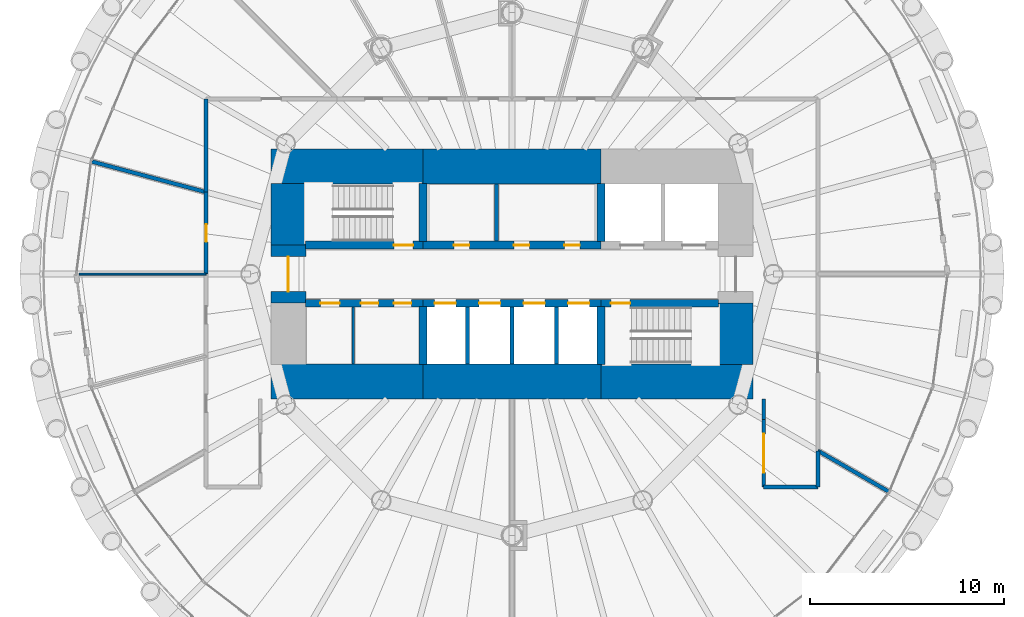
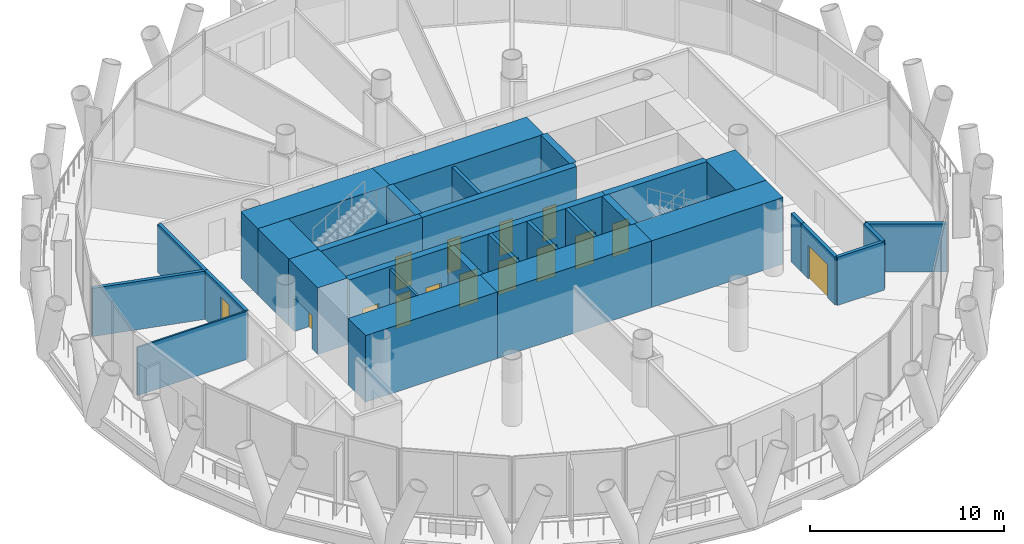
# One storey, part 9 of 15: 31 walls, 15 doors, 15 openings.
"""IFC4 building model written with IfcOpenShell, lengths in metres."""

import ifcopenshell
import ifcopenshell.guid

model = None  # the IFC model being written
_history = None  # IfcOwnerHistory: only IFC2X3 demands one
_inside = {}  # id of a spatial element -> (the spatial element, [elements in it])
_under = {}  # id of a project, library or spatial element -> (it, [spatial elements below it])
_declared = {}  # id of a project -> (the project, [libraries it declares])
_typed = {}  # id of a type object -> (the type object, [elements of that type])
_made_of = {}  # id of a material, layer set ... -> (it, [elements and type objects made of it])


def new_model(schema):
    """Start an empty IFC model of exactly this schema.

    Asked for "IFC4X3", IfcOpenShell would pick the latest addendum, in which some entities
    have other attributes; the version numbers below select the first issue.
    IFC2X3 requires an IfcOwnerHistory on every rooted entity: one is made here for all.
    """
    global model, _history
    if schema == "IFC4X3":
        model = ifcopenshell.file(schema_version=(4, 3, 0, 0))
    else:
        model = ifcopenshell.file(schema=schema)
    _inside.clear()
    _under.clear()
    _declared.clear()
    _typed.clear()
    _made_of.clear()
    _history = None
    if model.schema == "IFC2X3":
        org = make("IfcOrganization", Name="unknown")
        user = make(
            "IfcPersonAndOrganization",
            ThePerson=make("IfcPerson", FamilyName="unknown"),
            TheOrganization=org,
        )
        app = make(
            "IfcApplication",
            ApplicationDeveloper=org,
            Version="unknown",
            ApplicationFullName="unknown",
            ApplicationIdentifier="unknown",
        )
        _history = make(
            "IfcOwnerHistory",
            OwningUser=user,
            OwningApplication=app,
            ChangeAction="ADDED",
            CreationDate=0,
        )
    return model


def make(cls, **values):
    """One entity of the class cls with the attributes given. An attribute that is None is left unset."""
    return model.create_entity(
        cls, **{name: value for name, value in values.items() if value is not None}
    )


def rooted(cls, **values):
    """An entity with a GlobalId (a new one), such as an element, a storey or a relation."""
    return make(cls, GlobalId=ifcopenshell.guid.new(), OwnerHistory=_history, **values)


def si_unit(unit_type, name, prefix=None):
    """IfcSIUnit, for example si_unit("LENGTHUNIT", "METRE", prefix="MILLI")."""
    return make("IfcSIUnit", UnitType=unit_type, Prefix=prefix, Name=name)


def assignment(units):
    """IfcUnitAssignment: the units of a project."""
    return None if units is None else make("IfcUnitAssignment", Units=units)


def point(xyz):
    """IfcCartesianPoint."""
    return None if xyz is None else make("IfcCartesianPoint", Coordinates=xyz)


def direction(xyz):
    """IfcDirection."""
    return None if xyz is None else make("IfcDirection", DirectionRatios=xyz)


def frame(location, z_axis=None, x_axis=None):
    """IfcAxis2Placement3D, a coordinate frame: its origin and axes. An axis left out is left unset."""
    return make(
        "IfcAxis2Placement3D",
        Location=point(location),
        Axis=direction(z_axis),
        RefDirection=direction(x_axis),
    )


def frame_2d(location, x_axis=None):
    """IfcAxis2Placement2D, a coordinate frame in the plane: its origin and x axis."""
    return make(
        "IfcAxis2Placement2D", Location=point(location), RefDirection=direction(x_axis)
    )


def origin():
    """The frame at (0, 0, 0) with its axes left unset."""
    return frame((0.0, 0.0, 0.0))


def place(relative_to, where):
    """IfcLocalPlacement: puts the frame where relative to a parent placement (None: the world)."""
    return make(
        "IfcLocalPlacement", PlacementRelTo=relative_to, RelativePlacement=where
    )


def context(
    kind, dimensions, precision=None, world=None, true_north=None, identifier=None
):
    """IfcGeometricRepresentationContext, for example the 3D "Model" context."""
    return make(
        "IfcGeometricRepresentationContext",
        ContextIdentifier=identifier,
        ContextType=kind,
        CoordinateSpaceDimension=dimensions,
        Precision=precision,
        WorldCoordinateSystem=world,
        TrueNorth=true_north,
    )


def subcontext(parent, identifier, kind, view, scale=None):
    """IfcGeometricRepresentationSubContext, for example "Body" below "Model"."""
    return make(
        "IfcGeometricRepresentationSubContext",
        ContextIdentifier=identifier,
        ContextType=kind,
        ParentContext=parent,
        TargetScale=scale,
        TargetView=view,
    )


def project(units=None, contexts=None):
    """IfcProject with its units and contexts."""
    return rooted(
        "IfcProject",
        Name="project",
        RepresentationContexts=contexts,
        UnitsInContext=assignment(units),
    )


def spatial(cls, under=None, at=None, **own):
    """A site, building, storey or space (cls), placed at a placement, below another one or the project."""
    s = rooted(cls, ObjectPlacement=at, **own)
    if under is not None:
        _under.setdefault(under.id(), (under, []))[1].append(s)
    return s


def profile(cls, at=None, kind="AREA", **sizes):
    """A parametric profile (cls). Its sizes go by their IFC names, for example OverallWidth=200.0."""
    return make(cls, ProfileType=kind, Position=at, **sizes)


def rectangle(**sizes):
    """IfcRectangleProfileDef."""
    return profile("IfcRectangleProfileDef", **sizes)


def extrude(swept, where, along, depth):
    """IfcExtrudedAreaSolid: the profile swept, set in the frame where, extruded along a direction by depth."""
    return make(
        "IfcExtrudedAreaSolid",
        SweptArea=swept,
        Position=where,
        ExtrudedDirection=direction(along),
        Depth=depth,
    )


def shape(context_of_items, identifier, shape_type, items):
    """IfcShapeRepresentation: the items that make up one representation, for example the "Body"."""
    return make(
        "IfcShapeRepresentation",
        ContextOfItems=context_of_items,
        RepresentationIdentifier=identifier,
        RepresentationType=shape_type,
        Items=items,
    )


def material(Name=None, Category=None):
    """IfcMaterial."""
    return make("IfcMaterial", Name=Name, Category=Category)


def layer(
    of_material, thickness, ventilated=None, Name=None, Category=None, Priority=None
):
    """IfcMaterialLayer: one layer of a wall or slab, of a material (None: an air gap)."""
    return make(
        "IfcMaterialLayer",
        Material=of_material,
        LayerThickness=thickness,
        IsVentilated=ventilated,
        Name=Name,
        Category=Category,
        Priority=Priority,
    )


def layer_set(layers, Name=None):
    """IfcMaterialLayerSet."""
    return make("IfcMaterialLayerSet", MaterialLayers=layers, LayerSetName=Name)


def made_of(thing, what):
    """Note that an element or type object is made of a material, layer set ...; save() writes the relation."""
    if what is not None:
        _made_of.setdefault(what.id(), (what, []))[1].append(thing)
    return thing


def type_object(cls, material=None, **own):
    """A type object (cls), such as IfcWallType, which elements share."""
    return made_of(rooted(cls, **own), material)


def element(
    cls,
    number,
    at=None,
    inside=None,
    cuts=None,
    type_object=None,
    material=None,
    context=None,
    identifier="Body",
    shape_type=None,
    held_by="IfcProductDefinitionShape",
    body=None,
    shapes=None,
    **own,
):
    """One element of the class cls, such as IfcWall. Its Tag is "e" and its number.

    at: its placement. inside: the storey or other place that contains it. cuts: it is an
    opening in that element (IfcRelVoidsElement). A single representation is given by context,
    identifier, shape_type and body (its items); several are given by shapes. held_by: the class
    of the entity that holds the representations. save() writes the other relations.
    """
    e = rooted(cls, Tag="e%d" % number, ObjectPlacement=at, **own)
    if body is not None:
        shapes = [shape(context, identifier, shape_type, body)]
    if shapes is not None:
        e.Representation = make(held_by, Representations=shapes)
    if inside is not None:
        _inside.setdefault(inside.id(), (inside, []))[1].append(e)
    if cuts is not None:
        rooted(
            "IfcRelVoidsElement", RelatingBuildingElement=cuts, RelatedOpeningElement=e
        )
    if type_object is not None:
        _typed.setdefault(type_object.id(), (type_object, []))[1].append(e)
    return made_of(e, material)


def fill(opening, filler):
    """IfcRelFillsElement: the door or window that sits in an opening."""
    return rooted(
        "IfcRelFillsElement",
        RelatingOpeningElement=opening,
        RelatedBuildingElement=filler,
    )


def aggregate(whole, parts):
    """IfcRelAggregates: a whole, such as a stair, and the parts it consists of."""
    return rooted("IfcRelAggregates", RelatingObject=whole, RelatedObjects=parts)


def save(model, path):
    """Write the relations noted so far, then the file.

    IfcRelAggregates (storeys below a building ...), IfcRelContainedInSpatialStructure (elements
    in a storey), IfcRelDefinesByType, IfcRelAssociatesMaterial and IfcRelDeclares: one each for
    every whole, place, type object, material and project.
    """
    for whole, parts in _under.values():
        aggregate(whole, parts)
    for where, things in _inside.values():
        rooted(
            "IfcRelContainedInSpatialStructure",
            RelatedElements=things,
            RelatingStructure=where,
        )
    for kind, things in _typed.values():
        rooted("IfcRelDefinesByType", RelatedObjects=things, RelatingType=kind)
    for what, things in _made_of.values():
        rooted("IfcRelAssociatesMaterial", RelatedObjects=things, RelatingMaterial=what)
    for by, libraries in _declared.values():
        rooted("IfcRelDeclares", RelatingContext=by, RelatedDefinitions=libraries)
    model.write(path)


model = new_model("IFC4")

# Units and contexts
model_context = context("Model", 3, precision=1e-05, world=origin(), true_north=direction((0.0, 1.0)))
body_context = subcontext(model_context, "Body", "Model", "MODEL_VIEW")
ifc_project = project(units=[si_unit("LENGTHUNIT", "METRE"), si_unit("AREAUNIT", "SQUARE_METRE"), si_unit("VOLUMEUNIT", "CUBIC_METRE"), si_unit("PLANEANGLEUNIT", "RADIAN"), si_unit("MASSUNIT", "GRAM", prefix="KILO")], contexts=[model_context])

# Site, building, storey
site_placement = place(None, origin())
site = spatial("IfcSite", under=ifc_project, at=site_placement, CompositionType="ELEMENT")
building_placement = place(site_placement, origin())
building = spatial("IfcBuilding", under=site, at=building_placement, Name="Qaws Media Tower", CompositionType="ELEMENT")
storey_placement = place(building_placement, frame((0.0, 0.0, 143.60009765625)))
storey = spatial("IfcBuildingStorey", under=building, at=storey_placement, Name="L32", CompositionType="ELEMENT", Elevation=143.60009765625)

# Wall, opening, door
ifc_material_1 = material(Name="Concrete C60/75", Category="concrete")
ifc_layer_1 = layer(ifc_material_1, 0.39990234375)
ifc_layer_set_1 = layer_set([ifc_layer_1], Name="Core inner wall 400")
wall_type_1 = type_object("IfcWallType", Name="Core inner wall 400", PredefinedType="SHEAR", material=ifc_layer_set_1)
wall_1_placement = place(storey_placement, frame((49.330078125, 51.5, 0.0), z_axis=(0.0, 0.0, 1.0), x_axis=(1.0, 0.0, 0.0)))
wall_1 = element("IfcWall", 1, at=wall_1_placement, inside=storey, type_object=wall_type_1, Name="W321 SW4 core wall SPNW L32", PredefinedType="SHEAR", context=body_context, shape_type="SweptSolid", body=[
    extrude(rectangle(XDim=6.06982421875, YDim=0.39990234375, at=frame_2d((3.034912109375, 0.0))), origin(), (0.0, 0.0, 1.0), 4.199951171875),
])
opening_1_placement = place(wall_1_placement, frame((4.570068359375, 0.0, 0.0)))
opening_1 = element("IfcOpeningElement", 2, at=opening_1_placement, cuts=wall_1, Name="Opening D1", PredefinedType="OPENING", context=body_context, shape_type="SweptSolid", body=[
    extrude(rectangle(XDim=1.0, YDim=2.10009765625, at=frame_2d((0.5, 1.050048828125))), frame((0.0, 0.2099609375, 0.0), z_axis=(0.0, -1.0, 0.0), x_axis=(1.0, 0.0, 0.0)), (0.0, 0.0, 1.0), 0.419921875),
])
ifc_material_2 = material(Name="Steel, fire rated", Category="steel")
door_type_1 = type_object("IfcDoorType", Name="Stair door 1000 FD120", OperationType="SINGLE_SWING_LEFT", PredefinedType="DOOR", material=ifc_material_2)
door_1_placement = place(opening_1_placement, origin())
door_1 = element("IfcDoor", 3, at=door_1_placement, inside=storey, type_object=door_type_1, Name="D1 stair S1 door L32 in wall W321", OperationType="SINGLE_SWING_LEFT", OverallHeight=2.10009765625, OverallWidth=1.0, PredefinedType="DOOR", context=body_context, shape_type="SweptSolid", body=[
    extrude(rectangle(XDim=1.0, YDim=2.10009765625, at=frame_2d((0.5, 1.050048828125))), frame((0.0, 0.02490234375, 0.0), z_axis=(0.0, -1.0, 0.0), x_axis=(1.0, 0.0, 0.0)), (0.0, 0.0, 1.0), 0.050048828125),
])
fill(opening_1, door_1)

# Wall, openings, doors
wall_2_placement = place(storey_placement, frame((55.39990234375, 51.5, 0.0), z_axis=(0.0, 0.0, 1.0), x_axis=(1.0, 0.0, 0.0)))
wall_2 = element("IfcWall", 4, at=wall_2_placement, inside=storey, type_object=wall_type_1, Name="W314 SW4 core wall SPN L32", PredefinedType="SHEAR", context=body_context, shape_type="SweptSolid", body=[
    extrude(rectangle(XDim=9.2001953125, YDim=0.39990234375, at=frame_2d((4.60009765625, 0.0))), origin(), (0.0, 0.0, 1.0), 4.199951171875),
])
opening_2_placement = place(wall_2_placement, frame((1.60009765625, 0.0, 0.0)))
opening_2 = element("IfcOpeningElement", 5, at=opening_2_placement, cuts=wall_2, Name="Opening D23", PredefinedType="OPENING", context=body_context, shape_type="SweptSolid", body=[
    extrude(rectangle(XDim=0.800048828125, YDim=2.10009765625, at=frame_2d((0.39990234375, 1.050048828125))), frame((0.0, 0.2099609375, 0.0), z_axis=(0.0, -1.0, 0.0), x_axis=(1.0, 0.0, 0.0)), (0.0, 0.0, 1.0), 0.419921875),
])
opening_3_placement = place(wall_2_placement, frame((4.699951171875, 0.0, 0.0)))
opening_3 = element("IfcOpeningElement", 6, at=opening_3_placement, cuts=wall_2, Name="Opening D23", PredefinedType="OPENING", context=body_context, shape_type="SweptSolid", body=[
    extrude(rectangle(XDim=0.800048828125, YDim=2.10009765625, at=frame_2d((0.39990234375, 1.050048828125))), frame((0.0, 0.2099609375, 0.0), z_axis=(0.0, -1.0, 0.0), x_axis=(1.0, 0.0, 0.0)), (0.0, 0.0, 1.0), 0.419921875),
])
opening_4_placement = place(wall_2_placement, frame((7.300048828125, 0.0, 0.0)))
opening_4 = element("IfcOpeningElement", 7, at=opening_4_placement, cuts=wall_2, Name="Opening D23", PredefinedType="OPENING", context=body_context, shape_type="SweptSolid", body=[
    extrude(rectangle(XDim=0.800048828125, YDim=2.10009765625, at=frame_2d((0.39990234375, 1.050048828125))), frame((0.0, 0.2099609375, 0.0), z_axis=(0.0, -1.0, 0.0), x_axis=(1.0, 0.0, 0.0)), (0.0, 0.0, 1.0), 0.419921875),
])
ifc_material_3 = material(Name="Steel, fire rated", Category="steel")
door_type_2 = type_object("IfcDoorType", Name="Core room door 800x2100", OperationType="SINGLE_SWING_LEFT", PredefinedType="DOOR", material=ifc_material_3)
door_2_placement = place(opening_2_placement, origin())
door_2 = element("IfcDoor", 8, at=door_2_placement, inside=storey, type_object=door_type_2, Name="D23 Ladies toilets door L32 in wall W314", OperationType="SINGLE_SWING_LEFT", OverallHeight=2.10009765625, OverallWidth=0.800048828125, PredefinedType="DOOR", context=body_context, shape_type="SweptSolid", body=[
    extrude(rectangle(XDim=0.800048828125, YDim=2.10009765625, at=frame_2d((0.39990234375, 1.050048828125))), frame((0.0, 0.02490234375, 0.0), z_axis=(0.0, -1.0, 0.0), x_axis=(1.0, 0.0, 0.0)), (0.0, 0.0, 1.0), 0.050048828125),
])
fill(opening_2, door_2)
door_3_placement = place(opening_3_placement, origin())
door_3 = element("IfcDoor", 9, at=door_3_placement, inside=storey, type_object=door_type_2, Name="D23 Gents toilets door L32 2 in wall W314", OperationType="SINGLE_SWING_LEFT", OverallHeight=2.10009765625, OverallWidth=0.800048828125, PredefinedType="DOOR", context=body_context, shape_type="SweptSolid", body=[
    extrude(rectangle(XDim=0.800048828125, YDim=2.10009765625, at=frame_2d((0.39990234375, 1.050048828125))), frame((0.0, 0.02490234375, 0.0), z_axis=(0.0, -1.0, 0.0), x_axis=(1.0, 0.0, 0.0)), (0.0, 0.0, 1.0), 0.050048828125),
])
fill(opening_3, door_3)
door_4_placement = place(opening_4_placement, origin())
door_4 = element("IfcDoor", 10, at=door_4_placement, inside=storey, type_object=door_type_2, Name="D23 Gents toilets door L32 3 in wall W314", OperationType="SINGLE_SWING_LEFT", OverallHeight=2.10009765625, OverallWidth=0.800048828125, PredefinedType="DOOR", context=body_context, shape_type="SweptSolid", body=[
    extrude(rectangle(XDim=0.800048828125, YDim=2.10009765625, at=frame_2d((0.39990234375, 1.050048828125))), frame((0.0, 0.02490234375, 0.0), z_axis=(0.0, -1.0, 0.0), x_axis=(1.0, 0.0, 0.0)), (0.0, 0.0, 1.0), 0.050048828125),
])
fill(opening_4, door_4)

wall_3_placement = place(storey_placement, frame((49.330078125, 48.5, 0.0), z_axis=(0.0, 0.0, 1.0), x_axis=(1.0, 0.0, 0.0)))
wall_3 = element("IfcWall", 11, at=wall_3_placement, inside=storey, type_object=wall_type_1, Name="W320 SW4 core wall SPSW L32", PredefinedType="SHEAR", context=body_context, shape_type="SweptSolid", body=[
    extrude(rectangle(XDim=6.06982421875, YDim=0.39990234375, at=frame_2d((3.034912109375, 0.0))), origin(), (0.0, 0.0, 1.0), 4.199951171875),
])
opening_5_placement = place(wall_3_placement, frame((0.77001953125, 0.0, 0.0)))
opening_5 = element("IfcOpeningElement", 12, at=opening_5_placement, cuts=wall_3, Name="Opening D4", PredefinedType="OPENING", context=body_context, shape_type="SweptSolid", body=[
    extrude(rectangle(XDim=1.0, YDim=2.10009765625, at=frame_2d((0.5, 1.050048828125))), frame((0.0, 0.2099609375, 0.0), z_axis=(0.0, -1.0, 0.0), x_axis=(1.0, 0.0, 0.0)), (0.0, 0.0, 1.0), 0.419921875),
])
opening_6_placement = place(wall_3_placement, frame((2.8701171875, 0.0, 0.0)))
opening_6 = element("IfcOpeningElement", 13, at=opening_6_placement, cuts=wall_3, Name="Opening D25", PredefinedType="OPENING", context=body_context, shape_type="SweptSolid", body=[
    extrude(rectangle(XDim=0.89990234375, YDim=2.10009765625, at=frame_2d((0.449951171875, 1.050048828125))), frame((0.0, 0.2099609375, 0.0), z_axis=(0.0, -1.0, 0.0), x_axis=(1.0, 0.0, 0.0)), (0.0, 0.0, 1.0), 0.419921875),
])
opening_7_placement = place(wall_3_placement, frame((4.570068359375, 0.0, 0.0)))
opening_7 = element("IfcOpeningElement", 14, at=opening_7_placement, cuts=wall_3, Name="Opening D25", PredefinedType="OPENING", context=body_context, shape_type="SweptSolid", body=[
    extrude(rectangle(XDim=0.89990234375, YDim=2.10009765625, at=frame_2d((0.449951171875, 1.050048828125))), frame((0.0, 0.2099609375, 0.0), z_axis=(0.0, -1.0, 0.0), x_axis=(1.0, 0.0, 0.0)), (0.0, 0.0, 1.0), 0.419921875),
])
ifc_material_4 = material(Name="Timber veneered", Category="wood")
door_type_3 = type_object("IfcDoorType", Name="Accessible WC door 1000", OperationType="SLIDING_TO_LEFT", PredefinedType="DOOR", material=ifc_material_4)
door_5_placement = place(opening_5_placement, origin())
door_5 = element("IfcDoor", 15, at=door_5_placement, inside=storey, type_object=door_type_3, Name="D4 toilet door 1 L32 in wall W320", OperationType="SLIDING_TO_LEFT", OverallHeight=2.10009765625, OverallWidth=1.0, PredefinedType="DOOR", context=body_context, shape_type="SweptSolid", body=[
    extrude(rectangle(XDim=1.0, YDim=2.10009765625, at=frame_2d((0.5, 1.050048828125))), frame((0.0, 0.02490234375, 0.0), z_axis=(0.0, -1.0, 0.0), x_axis=(1.0, 0.0, 0.0)), (0.0, 0.0, 1.0), 0.050048828125),
])
fill(opening_5, door_5)
ifc_material_5 = material(Name="Steel, fire rated", Category="steel")
door_type_4 = type_object("IfcDoorType", Name="Core service door 900", OperationType="SINGLE_SWING_RIGHT", PredefinedType="DOOR", material=ifc_material_5)
door_6_placement = place(opening_6_placement, origin())
door_6 = element("IfcDoor", 16, at=door_6_placement, inside=storey, type_object=door_type_4, Name="D25 toilet door 2 L32 in wall W320", OperationType="SINGLE_SWING_RIGHT", OverallHeight=2.10009765625, OverallWidth=0.89990234375, PredefinedType="DOOR", context=body_context, shape_type="SweptSolid", body=[
    extrude(rectangle(XDim=0.89990234375, YDim=2.10009765625, at=frame_2d((0.449951171875, 1.050048828125))), frame((0.0, 0.02490234375, 0.0), z_axis=(0.0, -1.0, 0.0), x_axis=(1.0, 0.0, 0.0)), (0.0, 0.0, 1.0), 0.050048828125),
])
fill(opening_6, door_6)
door_7_placement = place(opening_7_placement, origin())
door_7 = element("IfcDoor", 17, at=door_7_placement, inside=storey, type_object=door_type_4, Name="D25 toilet door 3 L32 in wall W320", OperationType="SINGLE_SWING_RIGHT", OverallHeight=2.10009765625, OverallWidth=0.89990234375, PredefinedType="DOOR", context=body_context, shape_type="SweptSolid", body=[
    extrude(rectangle(XDim=0.89990234375, YDim=2.10009765625, at=frame_2d((0.449951171875, 1.050048828125))), frame((0.0, 0.02490234375, 0.0), z_axis=(0.0, -1.0, 0.0), x_axis=(1.0, 0.0, 0.0)), (0.0, 0.0, 1.0), 0.050048828125),
])
fill(opening_7, door_7)

wall_4_placement = place(storey_placement, frame((55.39990234375, 48.5, 0.0), z_axis=(0.0, 0.0, 1.0), x_axis=(1.0, 0.0, 0.0)))
wall_4 = element("IfcWall", 18, at=wall_4_placement, inside=storey, type_object=wall_type_1, Name="W313 SW4 core wall SPS L32", PredefinedType="SHEAR", context=body_context, shape_type="SweptSolid", body=[
    extrude(rectangle(XDim=9.2001953125, YDim=0.39990234375, at=frame_2d((4.60009765625, 0.0))), origin(), (0.0, 0.0, 1.0), 4.199951171875),
])
opening_8_placement = place(wall_4_placement, frame((0.60009765625, 0.0, 0.0)))
opening_8 = element("IfcOpeningElement", 19, at=opening_8_placement, cuts=wall_4, Name="Opening LD", PredefinedType="OPENING", context=body_context, shape_type="SweptSolid", body=[
    extrude(rectangle(XDim=1.10009765625, YDim=2.10009765625, at=frame_2d((0.550048828125, 1.050048828125))), frame((0.0, 0.2099609375, 0.0), z_axis=(0.0, -1.0, 0.0), x_axis=(1.0, 0.0, 0.0)), (0.0, 0.0, 1.0), 0.419921875),
])
opening_9_placement = place(wall_4_placement, frame((2.89990234375, 0.0, 0.0)))
opening_9 = element("IfcOpeningElement", 20, at=opening_9_placement, cuts=wall_4, Name="Opening LD", PredefinedType="OPENING", context=body_context, shape_type="SweptSolid", body=[
    extrude(rectangle(XDim=1.10009765625, YDim=2.10009765625, at=frame_2d((0.550048828125, 1.050048828125))), frame((0.0, 0.2099609375, 0.0), z_axis=(0.0, -1.0, 0.0), x_axis=(1.0, 0.0, 0.0)), (0.0, 0.0, 1.0), 0.419921875),
])
opening_10_placement = place(wall_4_placement, frame((5.199951171875, 0.0, 0.0)))
opening_10 = element("IfcOpeningElement", 21, at=opening_10_placement, cuts=wall_4, Name="Opening LD", PredefinedType="OPENING", context=body_context, shape_type="SweptSolid", body=[
    extrude(rectangle(XDim=1.10009765625, YDim=2.10009765625, at=frame_2d((0.550048828125, 1.050048828125))), frame((0.0, 0.2099609375, 0.0), z_axis=(0.0, -1.0, 0.0), x_axis=(1.0, 0.0, 0.0)), (0.0, 0.0, 1.0), 0.419921875),
])
opening_11_placement = place(wall_4_placement, frame((7.5, 0.0, 0.0)))
opening_11 = element("IfcOpeningElement", 22, at=opening_11_placement, cuts=wall_4, Name="Opening LD", PredefinedType="OPENING", context=body_context, shape_type="SweptSolid", body=[
    extrude(rectangle(XDim=1.10009765625, YDim=2.10009765625, at=frame_2d((0.550048828125, 1.050048828125))), frame((0.0, 0.2099609375, 0.0), z_axis=(0.0, -1.0, 0.0), x_axis=(1.0, 0.0, 0.0)), (0.0, 0.0, 1.0), 0.419921875),
])
ifc_material_6 = material(Name="Steel, fire rated", Category="steel")
door_type_5 = type_object("IfcDoorType", Name="Lift landing door 1100", OperationType="SLIDING_TO_LEFT", PredefinedType="DOOR", material=ifc_material_6)
door_8_placement = place(opening_8_placement, origin())
door_8 = element("IfcDoor", 23, at=door_8_placement, inside=storey, type_object=door_type_5, Name="P5 landing door L32 in wall W313", OperationType="SLIDING_TO_LEFT", OverallHeight=2.10009765625, OverallWidth=1.10009765625, PredefinedType="DOOR", context=body_context, shape_type="SweptSolid", body=[
    extrude(rectangle(XDim=1.10009765625, YDim=2.10009765625, at=frame_2d((0.550048828125, 1.050048828125))), frame((0.0, 0.02490234375, 0.0), z_axis=(0.0, -1.0, 0.0), x_axis=(1.0, 0.0, 0.0)), (0.0, 0.0, 1.0), 0.050048828125),
])
fill(opening_8, door_8)
door_9_placement = place(opening_9_placement, origin())
door_9 = element("IfcDoor", 24, at=door_9_placement, inside=storey, type_object=door_type_5, Name="P6 landing door L32 in wall W313", OperationType="SLIDING_TO_LEFT", OverallHeight=2.10009765625, OverallWidth=1.10009765625, PredefinedType="DOOR", context=body_context, shape_type="SweptSolid", body=[
    extrude(rectangle(XDim=1.10009765625, YDim=2.10009765625, at=frame_2d((0.550048828125, 1.050048828125))), frame((0.0, 0.02490234375, 0.0), z_axis=(0.0, -1.0, 0.0), x_axis=(1.0, 0.0, 0.0)), (0.0, 0.0, 1.0), 0.050048828125),
])
fill(opening_9, door_9)
door_10_placement = place(opening_10_placement, origin())
door_10 = element("IfcDoor", 25, at=door_10_placement, inside=storey, type_object=door_type_5, Name="P7 landing door L32 in wall W313", OperationType="SLIDING_TO_LEFT", OverallHeight=2.10009765625, OverallWidth=1.10009765625, PredefinedType="DOOR", context=body_context, shape_type="SweptSolid", body=[
    extrude(rectangle(XDim=1.10009765625, YDim=2.10009765625, at=frame_2d((0.550048828125, 1.050048828125))), frame((0.0, 0.02490234375, 0.0), z_axis=(0.0, -1.0, 0.0), x_axis=(1.0, 0.0, 0.0)), (0.0, 0.0, 1.0), 0.050048828125),
])
fill(opening_10, door_10)
door_11_placement = place(opening_11_placement, origin())
door_11 = element("IfcDoor", 26, at=door_11_placement, inside=storey, type_object=door_type_5, Name="P8 landing door L32 in wall W313", OperationType="SLIDING_TO_LEFT", OverallHeight=2.10009765625, OverallWidth=1.10009765625, PredefinedType="DOOR", context=body_context, shape_type="SweptSolid", body=[
    extrude(rectangle(XDim=1.10009765625, YDim=2.10009765625, at=frame_2d((0.550048828125, 1.050048828125))), frame((0.0, 0.02490234375, 0.0), z_axis=(0.0, -1.0, 0.0), x_axis=(1.0, 0.0, 0.0)), (0.0, 0.0, 1.0), 0.050048828125),
])
fill(opening_11, door_11)

# Wall, opening, door
wall_5_placement = place(storey_placement, frame((64.60009765625, 48.5, 0.0), z_axis=(0.0, 0.0, 1.0), x_axis=(1.0, 0.0, 0.0)))
wall_5 = element("IfcWall", 27, at=wall_5_placement, inside=storey, type_object=wall_type_1, Name="W325 SW4 core wall SPSE L32", PredefinedType="SHEAR", context=body_context, shape_type="SweptSolid", body=[
    extrude(rectangle(XDim=6.06982421875, YDim=0.39990234375, at=frame_2d((3.034912109375, 0.0))), origin(), (0.0, 0.0, 1.0), 4.199951171875),
])
opening_12_placement = place(wall_5_placement, frame((0.5, 0.0, 0.0)))
opening_12 = element("IfcOpeningElement", 28, at=opening_12_placement, cuts=wall_5, Name="Opening D1", PredefinedType="OPENING", context=body_context, shape_type="SweptSolid", body=[
    extrude(rectangle(XDim=1.0, YDim=2.10009765625, at=frame_2d((0.5, 1.050048828125))), frame((0.0, 0.2099609375, 0.0), z_axis=(0.0, -1.0, 0.0), x_axis=(1.0, 0.0, 0.0)), (0.0, 0.0, 1.0), 0.419921875),
])
door_12_placement = place(opening_12_placement, origin())
door_12 = element("IfcDoor", 29, at=door_12_placement, inside=storey, type_object=door_type_1, Name="D1 stair S2 door L32 in wall W325", OperationType="SINGLE_SWING_LEFT", OverallHeight=2.10009765625, OverallWidth=1.0, PredefinedType="DOOR", context=body_context, shape_type="SweptSolid", body=[
    extrude(rectangle(XDim=1.0, YDim=2.10009765625, at=frame_2d((0.5, 1.050048828125))), frame((0.0, 0.02490234375, 0.0), z_axis=(0.0, -1.0, 0.0), x_axis=(1.0, 0.0, 0.0)), (0.0, 0.0, 1.0), 0.050048828125),
])
fill(opening_12, door_12)

# Walls
for number, where, z_axis, x_axis, name in (
    (30, (55.39990234375, 51.679931640625, 0.0), (0.0, 0.0, 1.0), (0.0, 1.0, 0.0), "W323 SW4 core wall XNW L32"),
    (31, (64.60009765625, 51.679931640625, 0.0), (0.0, 0.0, 1.0), (0.0, 1.0, 0.0), "W327 SW4 core wall XNE L32"),
    (32, (55.39990234375, 48.320068359375, 0.0), (0.0, 0.0, 1.0), (0.0, -1.0, 0.0), "W322 SW4 core wall XSW L32"),
    (33, (64.60009765625, 48.320068359375, 0.0), (0.0, 0.0, 1.0), (0.0, -1.0, 0.0), "W324 SW4 core wall XSE L32"),
):
    element("IfcWall", number, at=place(storey_placement, frame(where, z_axis=z_axis, x_axis=x_axis)), inside=storey, type_object=wall_type_1, Name=name, PredefinedType="SHEAR", context=body_context, shape_type="SweptSolid", body=[
        extrude(rectangle(XDim=2.989990234375, YDim=0.39990234375, at=frame_2d((1.4951171875, 0.0))), origin(), (0.0, 0.0, 1.0), 4.199951171875),
    ])
ifc_material_7 = material(Name="Concrete C60/75", Category="concrete")
ifc_layer_2 = layer(ifc_material_7, 1.800048828125)
ifc_layer_set_2 = layer_set([ifc_layer_2], Name="Core wall 1800")
wall_type_2 = type_object("IfcWallType", Name="Core wall 1800", PredefinedType="SHEAR", material=ifc_layer_set_2)
wall_6_placement = place(storey_placement, frame((47.550048828125, 55.550048828125, 0.0), z_axis=(0.0, 0.0, 1.0), x_axis=(1.0, 0.0, 0.0)))
element("IfcWall", 34, at=wall_6_placement, inside=storey, type_object=wall_type_2, Name="W417 SW11 core wall NW L32", PredefinedType="SHEAR", context=body_context, shape_type="SweptSolid", body=[
    extrude(rectangle(XDim=7.849853515625, YDim=1.800048828125, at=frame_2d((3.9248046875, 0.0))), origin(), (0.0, 0.0, 1.0), 4.199951171875),
])
wall_7_placement = place(storey_placement, frame((55.39990234375, 55.550048828125, 0.0), z_axis=(0.0, 0.0, 1.0), x_axis=(1.0, 0.0, 0.0)))
element("IfcWall", 35, at=wall_7_placement, inside=storey, type_object=wall_type_2, Name="W421 SW11 core wall N L32", PredefinedType="SHEAR", context=body_context, shape_type="SweptSolid", body=[
    extrude(rectangle(XDim=9.2001953125, YDim=1.800048828125, at=frame_2d((4.60009765625, 0.0))), origin(), (0.0, 0.0, 1.0), 4.199951171875),
])
wall_8_placement = place(storey_placement, frame((47.550048828125, 44.449951171875, 0.0), z_axis=(0.0, 0.0, 1.0), x_axis=(1.0, 0.0, 0.0)))
element("IfcWall", 36, at=wall_8_placement, inside=storey, type_object=wall_type_2, Name="W416 SW11 core wall SW L32", PredefinedType="SHEAR", context=body_context, shape_type="SweptSolid", body=[
    extrude(rectangle(XDim=7.849853515625, YDim=1.800048828125, at=frame_2d((3.9248046875, 0.0))), origin(), (0.0, 0.0, 1.0), 4.199951171875),
])
wall_9_placement = place(storey_placement, frame((55.39990234375, 44.449951171875, 0.0), z_axis=(0.0, 0.0, 1.0), x_axis=(1.0, 0.0, 0.0)))
element("IfcWall", 37, at=wall_9_placement, inside=storey, type_object=wall_type_2, Name="W420 SW11 core wall S L32", PredefinedType="SHEAR", context=body_context, shape_type="SweptSolid", body=[
    extrude(rectangle(XDim=9.2001953125, YDim=1.800048828125, at=frame_2d((4.60009765625, 0.0))), origin(), (0.0, 0.0, 1.0), 4.199951171875),
])
wall_10_placement = place(storey_placement, frame((64.60009765625, 44.449951171875, 0.0), z_axis=(0.0, 0.0, 1.0), x_axis=(1.0, 0.0, 0.0)))
element("IfcWall", 38, at=wall_10_placement, inside=storey, type_object=wall_type_2, Name="W422 SW11 core wall SE L32", PredefinedType="SHEAR", context=body_context, shape_type="SweptSolid", body=[
    extrude(rectangle(XDim=7.849853515625, YDim=1.800048828125, at=frame_2d((3.9248046875, 0.0))), origin(), (0.0, 0.0, 1.0), 4.199951171875),
])
wall_11_placement = place(storey_placement, frame((71.550048828125, 45.330078125, 0.0), z_axis=(0.0, 0.0, 1.0), x_axis=(0.0, 1.0, 0.0)))
element("IfcWall", 39, at=wall_11_placement, inside=storey, type_object=wall_type_2, Name="W424 SW11 core wall ES L32", PredefinedType="SHEAR", context=body_context, shape_type="SweptSolid", body=[
    extrude(rectangle(XDim=3.169921875, YDim=1.800048828125, at=frame_2d((1.5849609375, 0.0))), origin(), (0.0, 0.0, 1.0), 4.199951171875),
])

# Wall, opening, door
wall_12_placement = place(storey_placement, frame((48.449951171875, 48.5, 0.0), z_axis=(0.0, 0.0, 1.0), x_axis=(0.0, 1.0, 0.0)))
wall_12 = element("IfcWall", 40, at=wall_12_placement, inside=storey, type_object=wall_type_2, Name="W426 SW11 core wall W L32", PredefinedType="SHEAR", context=body_context, shape_type="SweptSolid", body=[
    extrude(rectangle(XDim=3.0, YDim=1.800048828125, at=frame_2d((1.5, 0.0))), origin(), (0.0, 0.0, 1.0), 4.199951171875),
])
opening_13_placement = place(wall_12_placement, frame((0.60009765625, 0.0, 0.0)))
opening_13 = element("IfcOpeningElement", 41, at=opening_13_placement, cuts=wall_12, Name="Opening D2", PredefinedType="OPENING", context=body_context, shape_type="SweptSolid", body=[
    extrude(rectangle(XDim=1.800048828125, YDim=2.10009765625, at=frame_2d((0.89990234375, 1.050048828125))), frame((0.0, 0.909912109375, 0.0), z_axis=(0.0, -1.0, 0.0), x_axis=(1.0, 0.0, 0.0)), (0.0, 0.0, 1.0), 1.820068359375),
])
ifc_material_8 = material(Name="Steel and glass, fire rated", Category="steel")
door_type_6 = type_object("IfcDoorType", Name="Lobby door pair 1800 FD60", OperationType="DOUBLE_DOOR_DOUBLE_SWING", PredefinedType="DOOR", material=ifc_material_8)
door_13_placement = place(opening_13_placement, origin())
door_13 = element("IfcDoor", 42, at=door_13_placement, inside=storey, type_object=door_type_6, Name="D2 core lobby door W L32 in wall W426", OperationType="DOUBLE_DOOR_DOUBLE_SWING", OverallHeight=2.10009765625, OverallWidth=1.800048828125, PredefinedType="DOOR", context=body_context, shape_type="SweptSolid", body=[
    extrude(rectangle(XDim=1.800048828125, YDim=2.10009765625, at=frame_2d((0.89990234375, 1.050048828125))), frame((0.0, 0.02490234375, 0.0), z_axis=(0.0, -1.0, 0.0), x_axis=(1.0, 0.0, 0.0)), (0.0, 0.0, 1.0), 0.050048828125),
])
fill(opening_13, door_13)

# Walls
wall_13_placement = place(storey_placement, frame((48.449951171875, 51.5, 0.0), z_axis=(0.0, 0.0, 1.0), x_axis=(0.0, 1.0, 0.0)))
element("IfcWall", 43, at=wall_13_placement, inside=storey, type_object=wall_type_2, Name="W419 SW11 core wall WN L32", PredefinedType="SHEAR", context=body_context, shape_type="SweptSolid", body=[
    extrude(rectangle(XDim=3.169921875, YDim=1.800048828125, at=frame_2d((1.5849609375, 0.0))), origin(), (0.0, 0.0, 1.0), 4.199951171875),
])
ifc_material_9 = material(Name="Gypsum board on 70 metal studs, single layer each side", Category="gypsum")
ifc_layer_3 = layer(ifc_material_9, 0.10009765625)
ifc_layer_set_3 = layer_set([ifc_layer_3], Name="Office stud partition 100")
wall_type_3 = type_object("IfcWallType", Name="Office stud partition 100", PredefinedType="PARTITIONING", material=ifc_layer_set_3)
wall_14_placement = place(storey_placement, frame((44.199951171875, 50.0, 0.0), z_axis=(0.0, 0.0, 1.0), x_axis=(-1.0, 0.0, 0.0)))
element("IfcWall", 44, at=wall_14_placement, inside=storey, type_object=wall_type_3, Name="W637 IW4 partition L32", PredefinedType="PARTITIONING", context=body_context, shape_type="SweptSolid", body=[
    extrude(rectangle(XDim=6.56005859375, YDim=0.10009765625, at=frame_2d((3.280029296875, 0.0))), origin(), (0.0, 0.0, 1.0), 3.039794921875),
])
ifc_material_10 = material(Name="Gypsum board on galvanised metal studs, acoustic double stud, deflection head", Category="gypsum")
ifc_layer_4 = layer(ifc_material_10, 0.199951171875)
ifc_layer_set_4 = layer_set([ifc_layer_4], Name="Room partition 200")
wall_type_4 = type_object("IfcWallType", Name="Room partition 200", PredefinedType="PARTITIONING", material=ifc_layer_set_4)
wall_15_placement = place(storey_placement, frame((75.800048828125, 40.8779296875, 0.0), z_axis=(0.0, 0.0, 1.0), x_axis=(0.0, -1.0, 0.0)))
element("IfcWall", 45, at=wall_15_placement, inside=storey, type_object=wall_type_4, Name="W1232 IW3 partition L32", PredefinedType="PARTITIONING", context=body_context, shape_type="SweptSolid", body=[
    extrude(rectangle(XDim=1.8779296875, YDim=0.199951171875, at=frame_2d((0.93896484375, 0.0))), origin(), (0.0, 0.0, 1.0), 3.039794921875),
])
wall_16_placement = place(storey_placement, frame((75.800048828125, 39.0, 0.0), z_axis=(0.0, 0.0, 1.0), x_axis=(-1.0, 0.0, 0.0)))
element("IfcWall", 46, at=wall_16_placement, inside=storey, type_object=wall_type_4, Name="W1231 IW3 partition L32", PredefinedType="PARTITIONING", context=body_context, shape_type="SweptSolid", body=[
    extrude(rectangle(XDim=2.800048828125, YDim=0.199951171875, at=frame_2d((1.39990234375, 0.0))), origin(), (0.0, 0.0, 1.0), 3.039794921875),
])

# Wall, opening, door
wall_17_placement = place(storey_placement, frame((73.0, 39.0, 0.0), z_axis=(0.0, 0.0, 1.0), x_axis=(0.0, 1.0, 0.0)))
wall_17 = element("IfcWall", 47, at=wall_17_placement, inside=storey, type_object=wall_type_4, Name="W1228 IW3 partition L32", PredefinedType="PARTITIONING", context=body_context, shape_type="SweptSolid", body=[
    extrude(rectangle(XDim=3.494384765625, YDim=0.199951171875, at=frame_2d((1.7470703125, 0.0))), origin(), (0.0, 0.0, 1.0), 3.039794921875),
])
opening_14_placement = place(wall_17_placement, frame((0.747314453125, 0.0, 0.0)))
opening_14 = element("IfcOpeningElement", 48, at=opening_14_placement, cuts=wall_17, Name="Opening D6", PredefinedType="OPENING", context=body_context, shape_type="SweptSolid", body=[
    extrude(rectangle(XDim=2.0, YDim=2.10009765625, at=frame_2d((1.0, 1.050048828125))), frame((0.0, 0.10986328125, 0.0), z_axis=(0.0, -1.0, 0.0), x_axis=(1.0, 0.0, 0.0)), (0.0, 0.0, 1.0), 0.219970703125),
])
ifc_material_11 = material(Name="Steel, acoustic, fire rated", Category="steel")
door_type_7 = type_object("IfcDoorType", Name="Room door pair 2000", OperationType="DOUBLE_DOOR_DOUBLE_SWING", PredefinedType="DOOR", material=ifc_material_11)
door_14_placement = place(opening_14_placement, origin())
door_14 = element("IfcDoor", 49, at=door_14_placement, inside=storey, type_object=door_type_7, Name="D6 Paralegal office door L32 in wall W1228", OperationType="DOUBLE_DOOR_DOUBLE_SWING", OverallHeight=2.10009765625, OverallWidth=2.0, PredefinedType="DOOR", context=body_context, shape_type="SweptSolid", body=[
    extrude(rectangle(XDim=2.0, YDim=2.10009765625, at=frame_2d((1.0, 1.050048828125))), frame((0.0, 0.02490234375, 0.0), z_axis=(0.0, -1.0, 0.0), x_axis=(1.0, 0.0, 0.0)), (0.0, 0.0, 1.0), 0.050048828125),
])
fill(opening_14, door_14)

# Wall
wall_18_placement = place(storey_placement, frame((73.0, 42.494384765625, 0.0), z_axis=(0.0, 0.0, 1.0), x_axis=(0.0, 1.0, 0.0)))
element("IfcWall", 50, at=wall_18_placement, inside=storey, type_object=wall_type_4, Name="W1229 IW3 partition L32", PredefinedType="PARTITIONING", context=body_context, shape_type="SweptSolid", body=[
    extrude(rectangle(XDim=1.0556640625, YDim=0.199951171875, at=frame_2d((0.52783203125, 0.0))), origin(), (0.0, 0.0, 1.0), 3.039794921875),
])

# Wall, opening, door
wall_19_placement = place(storey_placement, frame((44.199951171875, 50.0, 0.0), z_axis=(0.0, 0.0, 1.0), x_axis=(0.0, 1.0, 0.0)))
wall_19 = element("IfcWall", 51, at=wall_19_placement, inside=storey, type_object=wall_type_4, Name="W1218 IW3 partition L32", PredefinedType="PARTITIONING", context=body_context, shape_type="SweptSolid", body=[
    extrude(rectangle(XDim=4.233642578125, YDim=0.199951171875, at=frame_2d((2.11669921875, 0.0))), origin(), (0.0, 0.0, 1.0), 3.039794921875),
])
opening_15_placement = place(wall_19_placement, frame((1.666748046875, 0.0, 0.0)))
opening_15 = element("IfcOpeningElement", 52, at=opening_15_placement, cuts=wall_19, Name="Opening D12", PredefinedType="OPENING", context=body_context, shape_type="SweptSolid", body=[
    extrude(rectangle(XDim=0.89990234375, YDim=2.39990234375, at=frame_2d((0.449951171875, 1.199951171875))), frame((0.0, 0.10986328125, 0.0), z_axis=(0.0, -1.0, 0.0), x_axis=(1.0, 0.0, 0.0)), (0.0, 0.0, 1.0), 0.219970703125),
])
ifc_material_12 = material(Name="Timber veneered, full height", Category="wood")
door_type_8 = type_object("IfcDoorType", Name="Office door 900x2400", OperationType="SINGLE_SWING_LEFT", PredefinedType="DOOR", material=ifc_material_12)
door_15_placement = place(opening_15_placement, origin())
door_15 = element("IfcDoor", 53, at=door_15_placement, inside=storey, type_object=door_type_8, Name="D12 Office door L32 in wall W1218", OperationType="SINGLE_SWING_LEFT", OverallHeight=2.39990234375, OverallWidth=0.89990234375, PredefinedType="DOOR", context=body_context, shape_type="SweptSolid", body=[
    extrude(rectangle(XDim=0.89990234375, YDim=2.39990234375, at=frame_2d((0.449951171875, 1.199951171875))), frame((0.0, 0.02490234375, 0.0), z_axis=(0.0, -1.0, 0.0), x_axis=(1.0, 0.0, 0.0)), (0.0, 0.0, 1.0), 0.050048828125),
])
fill(opening_15, door_15)

# Walls
wall_20_placement = place(storey_placement, frame((44.199951171875, 54.233642578125, 0.0), z_axis=(0.0, 0.0, 1.0), x_axis=(0.0, 1.0, 0.0)))
element("IfcWall", 54, at=wall_20_placement, inside=storey, type_object=wall_type_4, Name="W1219 IW3 partition L32", PredefinedType="PARTITIONING", context=body_context, shape_type="SweptSolid", body=[
    extrude(rectangle(XDim=4.81640625, YDim=0.199951171875, at=frame_2d((2.408203125, 0.0))), origin(), (0.0, 0.0, 1.0), 3.039794921875),
])
wall_21_placement = place(storey_placement, frame((44.197509765625, 54.234375, 0.0), z_axis=(0.0, 0.0, 1.0), x_axis=(-0.965932688119, 0.258793435045, 0.0)))
element("IfcWall", 55, at=wall_21_placement, inside=storey, type_object=wall_type_4, Name="W1307 IW3 partition L32", PredefinedType="PARTITIONING", context=body_context, shape_type="SweptSolid", body=[
    extrude(rectangle(XDim=6.099853515625, YDim=0.199951171875, at=frame_2d((3.0498046875, 0.0))), origin(), (0.0, 0.0, 1.0), 3.039794921875),
])
wall_22_placement = place(storey_placement, frame((75.79638671875, 40.8798828125, 0.0), z_axis=(0.0, 0.0, 1.0), x_axis=(0.866034326667, -0.499984544796, 0.0)))
element("IfcWall", 56, at=wall_22_placement, inside=storey, type_object=wall_type_4, Name="W1312 IW3 partition L32", PredefinedType="PARTITIONING", context=body_context, shape_type="SweptSolid", body=[
    extrude(rectangle(XDim=4.219970703125, YDim=0.199951171875, at=frame_2d((2.10986328125, 0.0))), origin(), (0.0, 0.0, 1.0), 3.039794921875),
])
wall_23_placement = place(storey_placement, frame((59.199951171875, 51.699951171875, 0.0), z_axis=(0.0, 0.0, 1.0), x_axis=(0.0, 1.0, 0.0)))
element("IfcWall", 57, at=wall_23_placement, inside=storey, type_object=wall_type_4, Name="W1284 IW3 core room partition 1 L32", PredefinedType="PARTITIONING", context=body_context, shape_type="SweptSolid", body=[
    extrude(rectangle(XDim=2.949951171875, YDim=0.199951171875, at=frame_2d((1.47509765625, 0.0))), origin(), (0.0, 0.0, 1.0), 4.039794921875),
])
ifc_material_13 = material(Name="Fire-rated gypsum board shaft wall on galvanised metal studs, deflection head", Category="gypsum")
ifc_layer_5 = layer(ifc_material_13, 0.199951171875)
ifc_layer_set_5 = layer_set([ifc_layer_5], Name="Shaft wall 200")
wall_type_5 = type_object("IfcWallType", Name="Shaft wall 200", PredefinedType="PARTITIONING", material=ifc_layer_set_5)
for number, where, z_axis, x_axis, name in (
    (58, (57.699951171875, 45.35009765625, 0.0), (0.0, 0.0, 1.0), (0.0, 1.0, 0.0), "W1860 IW1 shaft wall S1 L32"),
    (59, (60.0, 45.35009765625, 0.0), (0.0, 0.0, 1.0), (0.0, 1.0, 0.0), "W1861 IW1 shaft wall S2 L32"),
    (60, (62.300048828125, 45.35009765625, 0.0), (0.0, 0.0, 1.0), (0.0, 1.0, 0.0), "W1862 IW1 shaft wall S3 L32"),
):
    element("IfcWall", number, at=place(storey_placement, frame(where, z_axis=z_axis, x_axis=x_axis)), inside=storey, type_object=wall_type_5, Name=name, PredefinedType="PARTITIONING", context=body_context, shape_type="SweptSolid", body=[
        extrude(rectangle(XDim=2.949951171875, YDim=0.199951171875, at=frame_2d((1.47509765625, 0.0))), origin(), (0.0, 0.0, 1.0), 4.199951171875),
    ])
ifc_material_14 = material(Name="Gypsum board on galvanised metal studs, deflection head", Category="gypsum")
ifc_layer_6 = layer(ifc_material_14, 0.14990234375)
ifc_layer_set_6 = layer_set([ifc_layer_6], Name="WC partition 150")
wall_type_6 = type_object("IfcWallType", Name="WC partition 150", PredefinedType="PARTITIONING", material=ifc_layer_set_6)
wall_24_placement = place(storey_placement, frame((51.800048828125, 45.35009765625, 0.0), z_axis=(0.0, 0.0, 1.0), x_axis=(0.0, 1.0, 0.0)))
element("IfcWall", 61, at=wall_24_placement, inside=storey, type_object=wall_type_6, Name="W1912 IW2 toilet partition 1 L32", PredefinedType="PARTITIONING", context=body_context, shape_type="SweptSolid", body=[
    extrude(rectangle(XDim=2.949951171875, YDim=0.14990234375, at=frame_2d((1.47509765625, 0.0))), origin(), (0.0, 0.0, 1.0), 4.039794921875),
])

save(model, "model.ifc")
